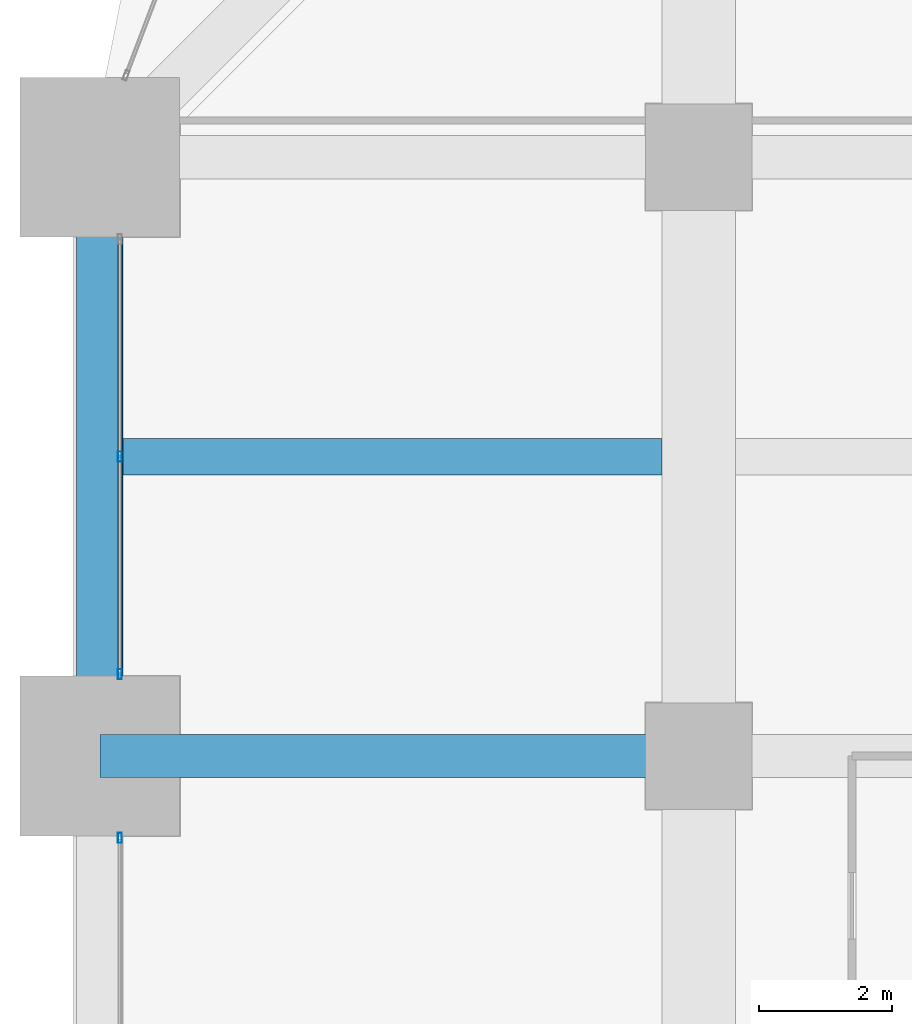
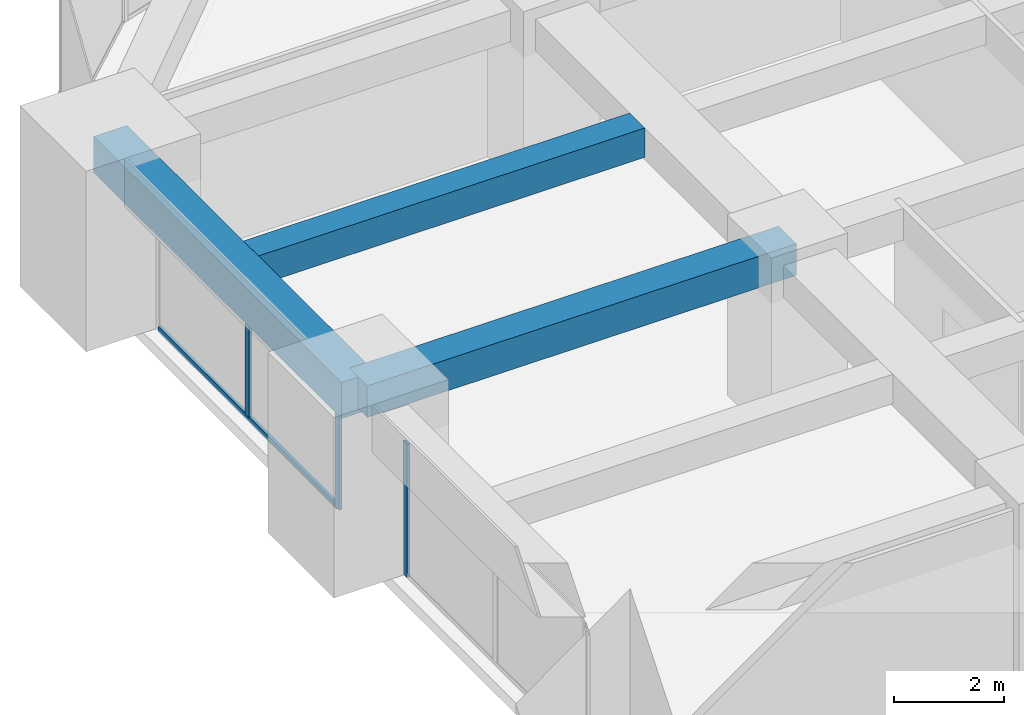
# One storey, part 11 of 32: 4 members, 3 beams, 2 elements without a shape of their own.
"""IFC4 building model written with IfcOpenShell, lengths in metres."""

from ifc_helpers import new_model, si_unit, direction, frame, origin, origin_2d, place, context, subcontext, project, spatial, rectangle, hollow_rectangle, extrude, material, material_profile, profile_set, type_object, element, aggregate, save


model = new_model("IFC4")

# Units and contexts
model_context = context("Model", 3, precision=1e-05, world=origin(), true_north=direction((0.0, 1.0)))
body_context = subcontext(model_context, "Body", "Model", "MODEL_VIEW")
ifc_project = project(units=[si_unit("LENGTHUNIT", "METRE"), si_unit("AREAUNIT", "SQUARE_METRE"), si_unit("VOLUMEUNIT", "CUBIC_METRE"), si_unit("PLANEANGLEUNIT", "RADIAN"), si_unit("MASSUNIT", "GRAM", prefix="KILO")], contexts=[model_context])

# Site, building, storey
site_placement = place(None, origin())
site = spatial("IfcSite", under=ifc_project, at=site_placement, CompositionType="ELEMENT")
building_placement = place(site_placement, origin())
building = spatial("IfcBuilding", under=site, at=building_placement, Name="Zorevar Civic Tower", CompositionType="ELEMENT")
storey_placement = place(building_placement, frame((0.0, 0.0, 182.199951171875)))
storey = spatial("IfcBuildingStorey", under=building, at=storey_placement, Name="L44", CompositionType="ELEMENT", Elevation=182.199951171875)

# Beams
ifc_material_1 = material(Name="Concrete C50/60", Category="concrete")
ifc_material_profile_1 = material_profile(ifc_material_1, rectangle(XDim=0.550048828125, YDim=0.64990234375, at=origin_2d()), Name="RC 550x650")
ifc_profile_set_1 = profile_set([ifc_material_profile_1], Name="Concrete C50/60")
beam_type_1 = type_object("IfcBeamType", Name="Beam RC 550x650", PredefinedType="BEAM", material=ifc_profile_set_1)
beam_1_placement = place(storey_placement, frame((0.35009765625, 31.5, 3.425048828125), z_axis=(1.0, 0.0, 0.0), x_axis=(0.0, 1.0, 0.0)))
element("IfcBeam", 1, at=beam_1_placement, inside=storey, type_object=beam_type_1, Name="Secondary beam L45", PredefinedType="BEAM", context=body_context, shape_type="SweptSolid", body=[
    extrude(rectangle(XDim=0.550048828125, YDim=0.64990234375, at=origin_2d()), origin(), (0.0, 0.0, 1.0), 8.099853515625),
])
ifc_material_2 = material(Name="Concrete C50/60", Category="concrete")
ifc_material_profile_2 = material_profile(ifc_material_2, rectangle(XDim=0.64990234375, YDim=0.699951171875, at=origin_2d()), Name="RC 650x700")
ifc_profile_set_2 = profile_set([ifc_material_profile_2], Name="Concrete C50/60")
beam_type_2 = type_object("IfcBeamType", Name="Beam RC 650x700", PredefinedType="BEAM", material=ifc_profile_set_2)
beam_2_placement = place(storey_placement, frame((0.0, 27.0, 3.400146484375), z_axis=(1.0, 0.0, 0.0), x_axis=(0.0, 1.0, 0.0)))
element("IfcBeam", 2, at=beam_2_placement, inside=storey, type_object=beam_type_2, Name="Girder L45", PredefinedType="BEAM", context=body_context, shape_type="SweptSolid", body=[
    extrude(rectangle(XDim=0.64990234375, YDim=0.699951171875, at=origin_2d()), origin(), (0.0, 0.0, 1.0), 9.0),
])

# Curtain wall, member
ifc_material_3 = material(Name="Dark grey solar-control glass in black aluminium frame", Category="aluminium")
curtain_wall_type = type_object("IfcCurtainWallType", Name="Curtain wall CW4 high zone", PredefinedType="NOTDEFINED", material=ifc_material_3)
curtain_wall_1_placement = place(storey_placement, origin())
curtain_wall_1 = element("IfcCurtainWall", 3, at=curtain_wall_1_placement, inside=storey, type_object=curtain_wall_type, Name="CW4 L44", PredefinedType="NOTDEFINED")
ifc_material_4 = material(Name="Aluminium, black anodised", Category="aluminium")
ifc_material_profile_3 = material_profile(ifc_material_4, hollow_rectangle(XDim=0.06005859375, YDim=0.14990234375, WallThickness=0.00390625, at=origin_2d()), Name="AL 150x60x4")
ifc_profile_set_3 = profile_set([ifc_material_profile_3], Name="Aluminium, black anodised")
member_type_1 = type_object("IfcMemberType", Name="CW4 mullion AL 150x60x4", PredefinedType="MULLION", material=ifc_profile_set_3)
member_1_placement = place(storey_placement, frame((0.300048828125, 25.77001953125, 0.0), z_axis=(0.0, 0.0, 1.0), x_axis=(-1.0, 0.0, 0.0)))
member_1 = element("IfcMember", 4, at=member_1_placement, type_object=member_type_1, Name="CW4 mullion 3", PredefinedType="MULLION", context=body_context, shape_type="SweptSolid", body=[
    extrude(hollow_rectangle(XDim=0.06005859375, YDim=0.14990234375, WallThickness=0.00390625, at=origin_2d()), origin(), (0.0, 0.0, 1.0), 2.949951171875),
])
aggregate(curtain_wall_1, [member_1])

# Curtain wall, members
curtain_wall_2_placement = place(storey_placement, origin())
curtain_wall_2 = element("IfcCurtainWall", 5, at=curtain_wall_2_placement, inside=storey, type_object=curtain_wall_type, Name="CW4 L44", PredefinedType="NOTDEFINED")
member_2_placement = place(storey_placement, frame((0.300048828125, 28.22998046875, 0.0), z_axis=(0.0, 0.0, 1.0), x_axis=(-1.0, 0.0, 0.0)))
member_2 = element("IfcMember", 6, at=member_2_placement, type_object=member_type_1, Name="CW4 mullion 1", PredefinedType="MULLION", context=body_context, shape_type="SweptSolid", body=[
    extrude(hollow_rectangle(XDim=0.06005859375, YDim=0.14990234375, WallThickness=0.00390625, at=origin_2d()), origin(), (0.0, 0.0, 1.0), 2.949951171875),
])
member_3_placement = place(storey_placement, frame((0.300048828125, 31.5, 0.06005859375), z_axis=(0.0, 0.0, 1.0), x_axis=(-1.0, 0.0, 0.0)))
member_3 = element("IfcMember", 7, at=member_3_placement, type_object=member_type_1, Name="CW4 mullion 2", PredefinedType="MULLION", context=body_context, shape_type="SweptSolid", body=[
    extrude(hollow_rectangle(XDim=0.06005859375, YDim=0.14990234375, WallThickness=0.00390625, at=origin_2d()), origin(), (0.0, 0.0, 1.0), 2.889892578125),
])
ifc_material_5 = material(Name="Aluminium, black anodised", Category="aluminium")
ifc_material_profile_4 = material_profile(ifc_material_5, hollow_rectangle(XDim=0.06005859375, YDim=0.1201171875, WallThickness=0.0029296875, at=origin_2d()), Name="AL 120x60x3")
ifc_profile_set_4 = profile_set([ifc_material_profile_4], Name="Aluminium, black anodised")
member_type_2 = type_object("IfcMemberType", Name="CW4 transom AL 120x60x3", PredefinedType="USERDEFINED", material=ifc_profile_set_4)
member_4_placement = place(storey_placement, frame((0.300048828125, 28.260009765625, 0.030029296875), z_axis=(0.0, 1.0, 0.0), x_axis=(-1.0, 0.0, 0.0)))
member_4 = element("IfcMember", 8, at=member_4_placement, type_object=member_type_2, Name="CW4 sill transom", ObjectType="TRANSOM", PredefinedType="USERDEFINED", context=body_context, shape_type="SweptSolid", body=[
    extrude(hollow_rectangle(XDim=0.06005859375, YDim=0.1201171875, WallThickness=0.0029296875, at=origin_2d()), origin(), (0.0, 0.0, 1.0), 6.47998046875),
])
aggregate(curtain_wall_2, [member_2, member_3, member_4])

# Beam
ifc_material_6 = material(Name="Concrete C50/60", Category="concrete")
ifc_material_profile_5 = material_profile(ifc_material_6, rectangle(XDim=0.699951171875, YDim=0.800048828125, at=origin_2d()), Name="RC 700x800")
ifc_profile_set_5 = profile_set([ifc_material_profile_5], Name="Concrete C50/60")
beam_type_3 = type_object("IfcBeamType", Name="Edge beam RC 700x800", PredefinedType="SPANDREL", material=ifc_profile_set_5)
beam_3_placement = place(storey_placement, frame((0.0, 27.0, 3.35009765625), z_axis=(0.0, 1.0, 0.0), x_axis=(-1.0, 0.0, 0.0)))
element("IfcBeam", 9, at=beam_3_placement, inside=storey, type_object=beam_type_3, Name="Edge beam L45", PredefinedType="SPANDREL", context=body_context, shape_type="SweptSolid", body=[
    extrude(rectangle(XDim=0.699951171875, YDim=0.800048828125, at=origin_2d()), origin(), (0.0, 0.0, 1.0), 9.0),
])

save(model, "model.ifc")
